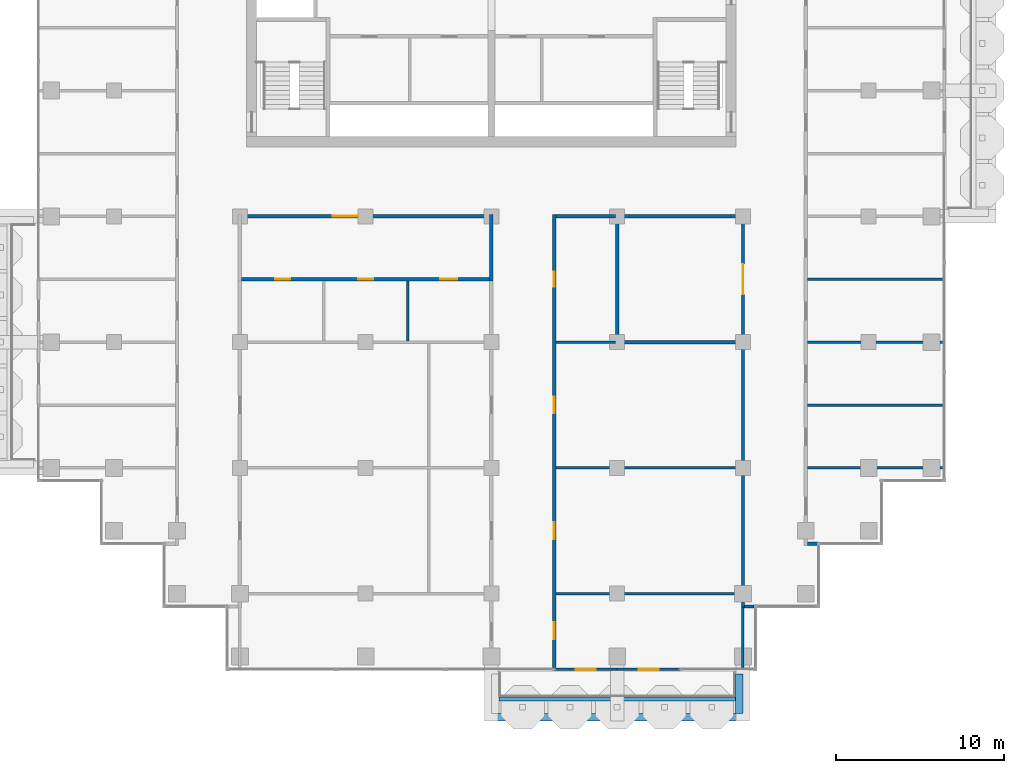
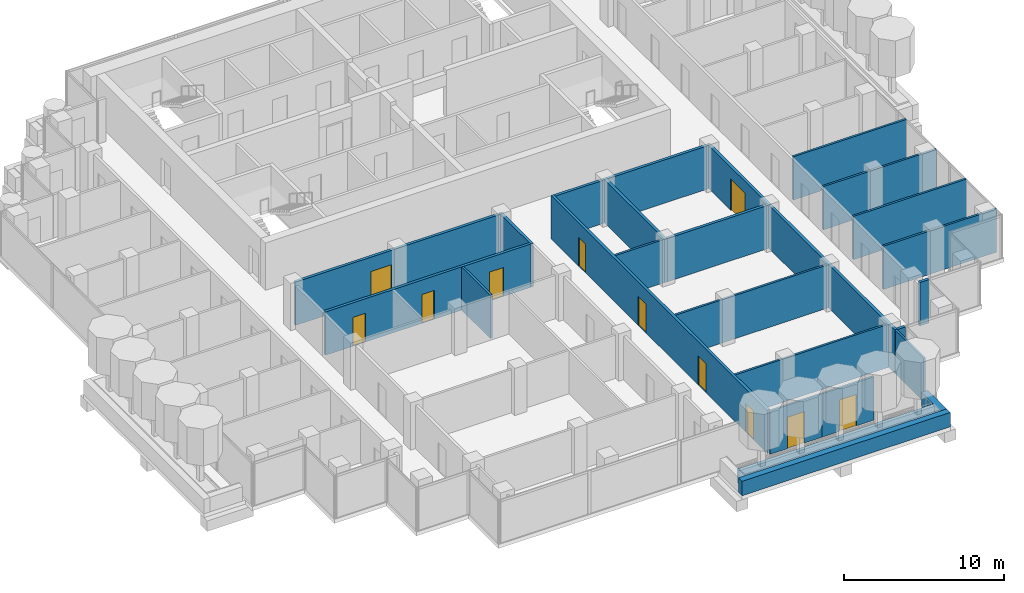
# One storey, part 12 of 19: 26 walls, 11 doors, 11 openings.
"""IFC4 building model written with IfcOpenShell, lengths in metres."""

from ifc_helpers import new_model, si_unit, direction, frame, frame_2d, origin, place, context, subcontext, project, spatial, rectangle, extrude, material, layer, layer_set, type_object, element, fill, save


model = new_model("IFC4")

# Units and contexts
model_context = context("Model", 3, precision=1e-05, world=origin(), true_north=direction((0.0, 1.0)))
body_context = subcontext(model_context, "Body", "Model", "MODEL_VIEW")
ifc_project = project(units=[si_unit("LENGTHUNIT", "METRE"), si_unit("AREAUNIT", "SQUARE_METRE"), si_unit("VOLUMEUNIT", "CUBIC_METRE"), si_unit("PLANEANGLEUNIT", "RADIAN"), si_unit("MASSUNIT", "GRAM", prefix="KILO")], contexts=[model_context])

# Site, building, storey
site_placement = place(None, origin())
site = spatial("IfcSite", under=ifc_project, at=site_placement, CompositionType="ELEMENT")
building_placement = place(site_placement, origin())
building = spatial("IfcBuilding", under=site, at=building_placement, Name="Pilkhan Gate Tower", CompositionType="ELEMENT")
storey_placement = place(building_placement, frame((0.0, 0.0, 224.699951171875)))
storey = spatial("IfcBuildingStorey", under=building, at=storey_placement, Name="L58", CompositionType="ELEMENT", Elevation=224.699951171875)

# Walls
ifc_material_1 = material(Name="Concrete C40/50", Category="concrete")
ifc_layer_1 = layer(ifc_material_1, 0.25)
ifc_layer_set_1 = layer_set([ifc_layer_1], Name="Balcony planter BP250")
wall_type_1 = type_object("IfcWallType", Name="Balcony planter BP250", PredefinedType="USERDEFINED", material=ifc_layer_set_1)
wall_1_placement = place(storey_placement, frame((75.449951171875, 38.72509765625, 0.0), z_axis=(0.0, 0.0, 1.0), x_axis=(1.0, 0.0, 0.0)))
element("IfcWall", 1, at=wall_1_placement, inside=storey, type_object=wall_type_1, Name="Balcony planter L58 S", ObjectType="BALCONY PLANTER", PredefinedType="USERDEFINED", context=body_context, shape_type="SweptSolid", body=[
    extrude(rectangle(XDim=14.10009765625, YDim=0.25, at=frame_2d((7.050048828125, 0.0))), origin(), (0.0, 0.0, 1.0), 1.0),
])
ifc_material_2 = material(Name="Board-marked Concrete C40/50", Category="concrete")
ifc_layer_2 = layer(ifc_material_2, 0.449951171875)
ifc_layer_set_2 = layer_set([ifc_layer_2], Name="Balcony planter lip BL450")
wall_type_2 = type_object("IfcWallType", Name="Balcony planter lip BL450", PredefinedType="USERDEFINED", material=ifc_layer_set_2)
wall_2_placement = place(storey_placement, frame((75.0, 37.625, 0.0), z_axis=(0.0, 0.0, 1.0), x_axis=(1.0, 0.0, 0.0)))
element("IfcWall", 2, at=wall_2_placement, inside=storey, type_object=wall_type_2, Name="Balcony planter L58 S", ObjectType="BALCONY PLANTER", PredefinedType="USERDEFINED", context=body_context, shape_type="SweptSolid", body=[
    extrude(rectangle(XDim=15.0, YDim=0.449951171875, at=frame_2d((7.5, 0.0))), origin(), (0.0, 0.0, 1.0), 1.10009765625),
])
wall_3_placement = place(storey_placement, frame((89.77490234375, 40.199951171875, 0.0), z_axis=(0.0, 0.0, 1.0), x_axis=(0.0, -1.0, 0.0)))
element("IfcWall", 3, at=wall_3_placement, inside=storey, type_object=wall_type_2, Name="Balcony planter L58 S", ObjectType="BALCONY PLANTER", PredefinedType="USERDEFINED", context=body_context, shape_type="SweptSolid", body=[
    extrude(rectangle(XDim=2.349853515625, YDim=0.449951171875, at=frame_2d((1.1748046875, 0.0))), origin(), (0.0, 0.0, 1.0), 1.10009765625),
])
ifc_material_3 = material(Name="Dense blockwork", Category="masonry")
ifc_layer_3 = layer(ifc_material_3, 0.199951171875)
ifc_layer_set_3 = layer_set([ifc_layer_3], Name="Corridor wall FW200")
wall_type_3 = type_object("IfcWallType", Name="Corridor wall FW200", PredefinedType="PARTITIONING", material=ifc_layer_set_3)
wall_4_placement = place(storey_placement, frame((90.10009765625, 44.235107421875, 0.0), z_axis=(0.0, 0.0, 1.0), x_axis=(1.0, 0.0, 0.0)))
element("IfcWall", 4, at=wall_4_placement, inside=storey, type_object=wall_type_3, Name="Partition L58", PredefinedType="PARTITIONING", context=body_context, shape_type="SweptSolid", body=[
    extrude(rectangle(XDim=0.544921875, YDim=0.199951171875, at=frame_2d((0.2724609375, 0.0))), origin(), (0.0, 0.0, 1.0), 3.300048828125),
])
wall_5_placement = place(storey_placement, frame((93.85009765625, 47.969970703125, 0.0), z_axis=(0.0, 0.0, 1.0), x_axis=(1.0, 0.0, 0.0)))
element("IfcWall", 5, at=wall_5_placement, inside=storey, type_object=wall_type_3, Name="Partition L58", PredefinedType="PARTITIONING", context=body_context, shape_type="SweptSolid", body=[
    extrude(rectangle(XDim=0.664794921875, YDim=0.199951171875, at=frame_2d((0.33251953125, 0.0))), origin(), (0.0, 0.0, 1.0), 3.300048828125),
])
wall_6_placement = place(storey_placement, frame((78.85009765625, 67.5, 0.0), z_axis=(0.0, 0.0, 1.0), x_axis=(1.0, 0.0, 0.0)))
element("IfcWall", 6, at=wall_6_placement, inside=storey, type_object=wall_type_3, Name="Partition L58", PredefinedType="PARTITIONING", context=body_context, shape_type="SweptSolid", body=[
    extrude(rectangle(XDim=3.5498046875, YDim=0.199951171875, at=frame_2d((1.77490234375, 0.0))), origin(), (0.0, 0.0, 1.0), 3.300048828125),
])

# Wall, openings, doors
wall_7_placement = place(storey_placement, frame((78.75, 40.5849609375, 0.0), z_axis=(0.0, 0.0, 1.0), x_axis=(0.0, 1.0, 0.0)))
wall_7 = element("IfcWall", 7, at=wall_7_placement, inside=storey, type_object=wall_type_3, Name="Partition L58", PredefinedType="PARTITIONING", context=body_context, shape_type="SweptSolid", body=[
    extrude(rectangle(XDim=27.01513671875, YDim=0.199951171875, at=frame_2d((13.507568359375, 0.0))), origin(), (0.0, 0.0, 1.0), 3.300048828125),
])
opening_1_placement = place(wall_7_placement, frame((1.699951171875, 0.0, 0.0)))
opening_1 = element("IfcOpeningElement", 8, at=opening_1_placement, cuts=wall_7, Name="Opening L58-21", PredefinedType="OPENING", context=body_context, shape_type="SweptSolid", body=[
    extrude(rectangle(XDim=1.0, YDim=2.199951171875, at=frame_2d((0.5, 1.10009765625))), frame((0.0, 0.10986328125, 0.0), z_axis=(0.0, -1.0, 0.0), x_axis=(1.0, 0.0, 0.0)), (0.0, 0.0, 1.0), 0.219970703125),
])
opening_2_placement = place(wall_7_placement, frame((7.6650390625, 0.0, 0.0)))
opening_2 = element("IfcOpeningElement", 9, at=opening_2_placement, cuts=wall_7, Name="Opening L58-22", PredefinedType="OPENING", context=body_context, shape_type="SweptSolid", body=[
    extrude(rectangle(XDim=1.0, YDim=2.199951171875, at=frame_2d((0.5, 1.10009765625))), frame((0.0, 0.10986328125, 0.0), z_axis=(0.0, -1.0, 0.0), x_axis=(1.0, 0.0, 0.0)), (0.0, 0.0, 1.0), 0.219970703125),
])
opening_3_placement = place(wall_7_placement, frame((15.1650390625, 0.0, 0.0)))
opening_3 = element("IfcOpeningElement", 10, at=opening_3_placement, cuts=wall_7, Name="Opening L58-23", PredefinedType="OPENING", context=body_context, shape_type="SweptSolid", body=[
    extrude(rectangle(XDim=1.0, YDim=2.199951171875, at=frame_2d((0.5, 1.10009765625))), frame((0.0, 0.10986328125, 0.0), z_axis=(0.0, -1.0, 0.0), x_axis=(1.0, 0.0, 0.0)), (0.0, 0.0, 1.0), 0.219970703125),
])
opening_4_placement = place(wall_7_placement, frame((22.715087890625, 0.0, 0.0)))
opening_4 = element("IfcOpeningElement", 11, at=opening_4_placement, cuts=wall_7, Name="Opening L58-24", PredefinedType="OPENING", context=body_context, shape_type="SweptSolid", body=[
    extrude(rectangle(XDim=0.89990234375, YDim=2.199951171875, at=frame_2d((0.449951171875, 1.10009765625))), frame((0.0, 0.10986328125, 0.0), z_axis=(0.0, -1.0, 0.0), x_axis=(1.0, 0.0, 0.0)), (0.0, 0.0, 1.0), 0.219970703125),
])
ifc_material_4 = material(Name="Timber flush door, 30 minute fire resisting", Category="wood")
door_type_1 = type_object("IfcDoorType", Name="Room door D03 1000x2200", OperationType="SINGLE_SWING_LEFT", PredefinedType="DOOR", material=ifc_material_4)
door_1_placement = place(opening_1_placement, origin())
door_1 = element("IfcDoor", 12, at=door_1_placement, inside=storey, type_object=door_type_1, Name="Room door", OperationType="SINGLE_SWING_LEFT", OverallHeight=2.199951171875, OverallWidth=1.0, PredefinedType="DOOR", context=body_context, shape_type="SweptSolid", body=[
    extrude(rectangle(XDim=1.0, YDim=2.199951171875, at=frame_2d((0.5, 1.10009765625))), frame((0.0, 0.02490234375, 0.0), z_axis=(0.0, -1.0, 0.0), x_axis=(1.0, 0.0, 0.0)), (0.0, 0.0, 1.0), 0.050048828125),
])
fill(opening_1, door_1)
door_2_placement = place(opening_2_placement, origin())
door_2 = element("IfcDoor", 13, at=door_2_placement, inside=storey, type_object=door_type_1, Name="Room door", OperationType="SINGLE_SWING_LEFT", OverallHeight=2.199951171875, OverallWidth=1.0, PredefinedType="DOOR", context=body_context, shape_type="SweptSolid", body=[
    extrude(rectangle(XDim=1.0, YDim=2.199951171875, at=frame_2d((0.5, 1.10009765625))), frame((0.0, 0.02490234375, 0.0), z_axis=(0.0, -1.0, 0.0), x_axis=(1.0, 0.0, 0.0)), (0.0, 0.0, 1.0), 0.050048828125),
])
fill(opening_2, door_2)
door_3_placement = place(opening_3_placement, origin())
door_3 = element("IfcDoor", 14, at=door_3_placement, inside=storey, type_object=door_type_1, Name="Room door", OperationType="SINGLE_SWING_RIGHT", OverallHeight=2.199951171875, OverallWidth=1.0, PredefinedType="DOOR", context=body_context, shape_type="SweptSolid", body=[
    extrude(rectangle(XDim=1.0, YDim=2.199951171875, at=frame_2d((0.5, 1.10009765625))), frame((0.0, 0.02490234375, 0.0), z_axis=(0.0, -1.0, 0.0), x_axis=(1.0, 0.0, 0.0)), (0.0, 0.0, 1.0), 0.050048828125),
])
fill(opening_3, door_3)
ifc_material_5 = material(Name="Timber flush door, 60 minute fire resisting, self-closing", Category="wood")
door_type_2 = type_object("IfcDoorType", Name="Store door D05 900x2200", OperationType="SINGLE_SWING_LEFT", PredefinedType="DOOR", material=ifc_material_5)
door_4_placement = place(opening_4_placement, origin())
door_4 = element("IfcDoor", 15, at=door_4_placement, inside=storey, type_object=door_type_2, Name="Store door", OperationType="SINGLE_SWING_LEFT", OverallHeight=2.199951171875, OverallWidth=0.89990234375, PredefinedType="DOOR", context=body_context, shape_type="SweptSolid", body=[
    extrude(rectangle(XDim=0.89990234375, YDim=2.199951171875, at=frame_2d((0.449951171875, 1.10009765625))), frame((0.0, 0.02490234375, 0.0), z_axis=(0.0, -1.0, 0.0), x_axis=(1.0, 0.0, 0.0)), (0.0, 0.0, 1.0), 0.050048828125),
])
fill(opening_4, door_4)

# Wall
wall_8_placement = place(storey_placement, frame((90.0, 44.135009765625, 0.0), z_axis=(0.0, 0.0, 1.0), x_axis=(0.0, 1.0, 0.0)))
element("IfcWall", 16, at=wall_8_placement, inside=storey, type_object=wall_type_3, Name="Partition L58", PredefinedType="PARTITIONING", context=body_context, shape_type="SweptSolid", body=[
    extrude(rectangle(XDim=15.864990234375, YDim=0.199951171875, at=frame_2d((7.9326171875, 0.0))), origin(), (0.0, 0.0, 1.0), 3.300048828125),
])

# Wall, opening, door
ifc_material_6 = material(Name="Pale anodised aluminium, clear laminated glazing", Category="aluminium")
ifc_layer_4 = layer(ifc_material_6, 0.14990234375)
ifc_layer_set_4 = layer_set([ifc_layer_4], Name="Facade infill wall IW150")
wall_type_4 = type_object("IfcWallType", Name="Facade infill wall IW150", PredefinedType="SOLIDWALL", material=ifc_layer_set_4)
wall_9_placement = place(storey_placement, frame((78.75, 40.5, 0.0), z_axis=(0.0, 0.0, 1.0), x_axis=(1.0, 0.0, 0.0)))
wall_9 = element("IfcWall", 17, at=wall_9_placement, inside=storey, type_object=wall_type_4, Name="Infill wall L58 S", PredefinedType="SOLIDWALL", context=body_context, shape_type="SweptSolid", body=[
    extrude(rectangle(XDim=3.75, YDim=0.14990234375, at=frame_2d((1.875, 0.0))), origin(), (0.0, 0.0, 1.0), 3.300048828125),
])
opening_5_placement = place(wall_9_placement, frame((1.27490234375, 0.0, 0.0)))
opening_5 = element("IfcOpeningElement", 18, at=opening_5_placement, cuts=wall_9, Name="Opening D1", PredefinedType="OPENING", context=body_context, shape_type="SweptSolid", body=[
    extrude(rectangle(XDim=1.199951171875, YDim=2.39990234375, at=frame_2d((0.60009765625, 1.199951171875))), frame((0.0, 0.0849609375, 0.0), z_axis=(0.0, -1.0, 0.0), x_axis=(1.0, 0.0, 0.0)), (0.0, 0.0, 1.0), 0.169921875),
])
ifc_material_7 = material(Name="Pale anodised aluminium, clear glazing", Category="aluminium")
door_type_3 = type_object("IfcDoorType", Name="Balcony door D1 1200x2400", OperationType="SINGLE_SWING_LEFT", PredefinedType="DOOR", material=ifc_material_7)
door_5_placement = place(opening_5_placement, origin())
door_5 = element("IfcDoor", 19, at=door_5_placement, inside=storey, type_object=door_type_3, Name="Balcony door L58", OperationType="SINGLE_SWING_LEFT", OverallHeight=2.39990234375, OverallWidth=1.199951171875, PredefinedType="DOOR", context=body_context, shape_type="SweptSolid", body=[
    extrude(rectangle(XDim=1.199951171875, YDim=2.39990234375, at=frame_2d((0.60009765625, 1.199951171875))), frame((0.0, 0.02490234375, 0.0), z_axis=(0.0, -1.0, 0.0), x_axis=(1.0, 0.0, 0.0)), (0.0, 0.0, 1.0), 0.050048828125),
])
fill(opening_5, door_5)

wall_10_placement = place(storey_placement, frame((82.5, 40.5, 0.0), z_axis=(0.0, 0.0, 1.0), x_axis=(1.0, 0.0, 0.0)))
wall_10 = element("IfcWall", 20, at=wall_10_placement, inside=storey, type_object=wall_type_4, Name="Infill wall L58 S", PredefinedType="SOLIDWALL", context=body_context, shape_type="SweptSolid", body=[
    extrude(rectangle(XDim=3.75, YDim=0.14990234375, at=frame_2d((1.875, 0.0))), origin(), (0.0, 0.0, 1.0), 3.300048828125),
])
opening_6_placement = place(wall_10_placement, frame((1.27490234375, 0.0, 0.0)))
opening_6 = element("IfcOpeningElement", 21, at=opening_6_placement, cuts=wall_10, Name="Opening D1", PredefinedType="OPENING", context=body_context, shape_type="SweptSolid", body=[
    extrude(rectangle(XDim=1.199951171875, YDim=2.39990234375, at=frame_2d((0.60009765625, 1.199951171875))), frame((0.0, 0.0849609375, 0.0), z_axis=(0.0, -1.0, 0.0), x_axis=(1.0, 0.0, 0.0)), (0.0, 0.0, 1.0), 0.169921875),
])
door_6_placement = place(opening_6_placement, origin())
door_6 = element("IfcDoor", 22, at=door_6_placement, inside=storey, type_object=door_type_3, Name="Balcony door L58", OperationType="SINGLE_SWING_LEFT", OverallHeight=2.39990234375, OverallWidth=1.199951171875, PredefinedType="DOOR", context=body_context, shape_type="SweptSolid", body=[
    extrude(rectangle(XDim=1.199951171875, YDim=2.39990234375, at=frame_2d((0.60009765625, 1.199951171875))), frame((0.0, 0.02490234375, 0.0), z_axis=(0.0, -1.0, 0.0), x_axis=(1.0, 0.0, 0.0)), (0.0, 0.0, 1.0), 0.050048828125),
])
fill(opening_6, door_6)

# Wall
ifc_layer_5 = layer(ifc_material_3, 0.199951171875)
ifc_layer_set_5 = layer_set([ifc_layer_5], Name="Lobby wall LW200")
wall_type_5 = type_object("IfcWallType", Name="Lobby wall LW200", PredefinedType="PARTITIONING", material=ifc_layer_set_5)
wall_11_placement = place(storey_placement, frame((82.60009765625, 60.0, 0.0), z_axis=(0.0, 0.0, 1.0), x_axis=(1.0, 0.0, 0.0)))
element("IfcWall", 23, at=wall_11_placement, inside=storey, type_object=wall_type_5, Name="Partition L58", PredefinedType="PARTITIONING", context=body_context, shape_type="SweptSolid", body=[
    extrude(rectangle(XDim=7.2998046875, YDim=0.199951171875, at=frame_2d((3.64990234375, 0.0))), origin(), (0.0, 0.0, 1.0), 3.300048828125),
])

# Wall, openings, doors
wall_12_placement = place(storey_placement, frame((60.10009765625, 63.75, 0.0), z_axis=(0.0, 0.0, 1.0), x_axis=(1.0, 0.0, 0.0)))
wall_12 = element("IfcWall", 24, at=wall_12_placement, inside=storey, type_object=wall_type_5, Name="Partition L58", PredefinedType="PARTITIONING", context=body_context, shape_type="SweptSolid", body=[
    extrude(rectangle(XDim=14.7998046875, YDim=0.199951171875, at=frame_2d((7.39990234375, 0.0))), origin(), (0.0, 0.0, 1.0), 3.300048828125),
])
opening_7_placement = place(wall_12_placement, frame((2.0, 0.0, 0.0)))
opening_7 = element("IfcOpeningElement", 25, at=opening_7_placement, cuts=wall_12, Name="Opening L58-13", PredefinedType="OPENING", context=body_context, shape_type="SweptSolid", body=[
    extrude(rectangle(XDim=0.89990234375, YDim=2.199951171875, at=frame_2d((0.449951171875, 1.10009765625))), frame((0.0, 0.10986328125, 0.0), z_axis=(0.0, -1.0, 0.0), x_axis=(1.0, 0.0, 0.0)), (0.0, 0.0, 1.0), 0.219970703125),
])
opening_8_placement = place(wall_12_placement, frame((6.949951171875, 0.0, 0.0)))
opening_8 = element("IfcOpeningElement", 26, at=opening_8_placement, cuts=wall_12, Name="Opening L58-14", PredefinedType="OPENING", context=body_context, shape_type="SweptSolid", body=[
    extrude(rectangle(XDim=0.89990234375, YDim=2.199951171875, at=frame_2d((0.449951171875, 1.10009765625))), frame((0.0, 0.10986328125, 0.0), z_axis=(0.0, -1.0, 0.0), x_axis=(1.0, 0.0, 0.0)), (0.0, 0.0, 1.0), 0.219970703125),
])
opening_9_placement = place(wall_12_placement, frame((11.85009765625, 0.0, 0.0)))
opening_9 = element("IfcOpeningElement", 27, at=opening_9_placement, cuts=wall_12, Name="Opening L58-15", PredefinedType="OPENING", context=body_context, shape_type="SweptSolid", body=[
    extrude(rectangle(XDim=1.0, YDim=2.199951171875, at=frame_2d((0.5, 1.10009765625))), frame((0.0, 0.10986328125, 0.0), z_axis=(0.0, -1.0, 0.0), x_axis=(1.0, 0.0, 0.0)), (0.0, 0.0, 1.0), 0.219970703125),
])
ifc_material_8 = material(Name="Timber flush door, outward opening, 30 minute fire resisting", Category="wood")
door_type_4 = type_object("IfcDoorType", Name="Accessible toilet door D07 1000x2200", OperationType="SINGLE_SWING_LEFT", PredefinedType="DOOR", material=ifc_material_8)
door_7_placement = place(opening_9_placement, origin())
door_7 = element("IfcDoor", 28, at=door_7_placement, inside=storey, type_object=door_type_4, Name="Accessible toilet door", OperationType="SINGLE_SWING_LEFT", OverallHeight=2.199951171875, OverallWidth=1.0, PredefinedType="DOOR", context=body_context, shape_type="SweptSolid", body=[
    extrude(rectangle(XDim=1.0, YDim=2.199951171875, at=frame_2d((0.5, 1.10009765625))), frame((0.0, 0.02490234375, 0.0), z_axis=(0.0, -1.0, 0.0), x_axis=(1.0, 0.0, 0.0)), (0.0, 0.0, 1.0), 0.050048828125),
])
fill(opening_9, door_7)
door_type_5 = type_object("IfcDoorType", Name="Toilet door D06 900x2200", OperationType="SINGLE_SWING_LEFT", PredefinedType="DOOR", material=ifc_material_4)
door_8_placement = place(opening_7_placement, origin())
door_8 = element("IfcDoor", 29, at=door_8_placement, inside=storey, type_object=door_type_5, Name="Toilet door", OperationType="SINGLE_SWING_LEFT", OverallHeight=2.199951171875, OverallWidth=0.89990234375, PredefinedType="DOOR", context=body_context, shape_type="SweptSolid", body=[
    extrude(rectangle(XDim=0.89990234375, YDim=2.199951171875, at=frame_2d((0.449951171875, 1.10009765625))), frame((0.0, 0.02490234375, 0.0), z_axis=(0.0, -1.0, 0.0), x_axis=(1.0, 0.0, 0.0)), (0.0, 0.0, 1.0), 0.050048828125),
])
fill(opening_7, door_8)
door_9_placement = place(opening_8_placement, origin())
door_9 = element("IfcDoor", 30, at=door_9_placement, inside=storey, type_object=door_type_5, Name="Toilet door", OperationType="SINGLE_SWING_LEFT", OverallHeight=2.199951171875, OverallWidth=0.89990234375, PredefinedType="DOOR", context=body_context, shape_type="SweptSolid", body=[
    extrude(rectangle(XDim=0.89990234375, YDim=2.199951171875, at=frame_2d((0.449951171875, 1.10009765625))), frame((0.0, 0.02490234375, 0.0), z_axis=(0.0, -1.0, 0.0), x_axis=(1.0, 0.0, 0.0)), (0.0, 0.0, 1.0), 0.050048828125),
])
fill(opening_8, door_9)

# Wall, opening, door
wall_13_placement = place(storey_placement, frame((60.10009765625, 67.5, 0.0), z_axis=(0.0, 0.0, 1.0), x_axis=(1.0, 0.0, 0.0)))
wall_13 = element("IfcWall", 31, at=wall_13_placement, inside=storey, type_object=wall_type_5, Name="Partition L58", PredefinedType="PARTITIONING", context=body_context, shape_type="SweptSolid", body=[
    extrude(rectangle(XDim=14.7998046875, YDim=0.199951171875, at=frame_2d((7.39990234375, 0.0))), origin(), (0.0, 0.0, 1.0), 3.300048828125),
])
opening_10_placement = place(wall_13_placement, frame((5.449951171875, 0.0, 0.0)))
opening_10 = element("IfcOpeningElement", 32, at=opening_10_placement, cuts=wall_13, Name="Opening L58-12", PredefinedType="OPENING", context=body_context, shape_type="SweptSolid", body=[
    extrude(rectangle(XDim=1.5, YDim=2.199951171875, at=frame_2d((0.75, 1.10009765625))), frame((0.0, 0.10986328125, 0.0), z_axis=(0.0, -1.0, 0.0), x_axis=(1.0, 0.0, 0.0)), (0.0, 0.0, 1.0), 0.219970703125),
])
ifc_material_9 = material(Name="Steel framed glazed door, 60 minute fire resisting", Category="steel")
door_type_6 = type_object("IfcDoorType", Name="Lobby door D09 1500x2200", OperationType="DOUBLE_DOOR_SINGLE_SWING", PredefinedType="DOOR", material=ifc_material_9)
door_10_placement = place(opening_10_placement, origin())
door_10 = element("IfcDoor", 33, at=door_10_placement, inside=storey, type_object=door_type_6, Name="Lobby door", OperationType="DOUBLE_DOOR_SINGLE_SWING", OverallHeight=2.199951171875, OverallWidth=1.5, PredefinedType="DOOR", context=body_context, shape_type="SweptSolid", body=[
    extrude(rectangle(XDim=1.5, YDim=2.199951171875, at=frame_2d((0.75, 1.10009765625))), frame((0.0, 0.02490234375, 0.0), z_axis=(0.0, -1.0, 0.0), x_axis=(1.0, 0.0, 0.0)), (0.0, 0.0, 1.0), 0.050048828125),
])
fill(opening_10, door_10)

# Walls
wall_14_placement = place(storey_placement, frame((82.60009765625, 67.5, 0.0), z_axis=(0.0, 0.0, 1.0), x_axis=(1.0, 0.0, 0.0)))
element("IfcWall", 34, at=wall_14_placement, inside=storey, type_object=wall_type_5, Name="Partition L58", PredefinedType="PARTITIONING", context=body_context, shape_type="SweptSolid", body=[
    extrude(rectangle(XDim=7.2998046875, YDim=0.199951171875, at=frame_2d((3.64990234375, 0.0))), origin(), (0.0, 0.0, 1.0), 3.300048828125),
])
wall_15_placement = place(storey_placement, frame((75.0, 63.64990234375, 0.0), z_axis=(0.0, 0.0, 1.0), x_axis=(0.0, 1.0, 0.0)))
element("IfcWall", 35, at=wall_15_placement, inside=storey, type_object=wall_type_5, Name="Partition L58", PredefinedType="PARTITIONING", context=body_context, shape_type="SweptSolid", body=[
    extrude(rectangle(XDim=3.9501953125, YDim=0.199951171875, at=frame_2d((1.97509765625, 0.0))), origin(), (0.0, 0.0, 1.0), 3.300048828125),
])
wall_16_placement = place(storey_placement, frame((82.5, 59.89990234375, 0.0), z_axis=(0.0, 0.0, 1.0), x_axis=(0.0, 1.0, 0.0)))
element("IfcWall", 36, at=wall_16_placement, inside=storey, type_object=wall_type_5, Name="Partition L58", PredefinedType="PARTITIONING", context=body_context, shape_type="SweptSolid", body=[
    extrude(rectangle(XDim=7.7001953125, YDim=0.199951171875, at=frame_2d((3.85009765625, 0.0))), origin(), (0.0, 0.0, 1.0), 3.300048828125),
])

# Wall, opening, door
wall_17_placement = place(storey_placement, frame((90.0, 59.89990234375, 0.0), z_axis=(0.0, 0.0, 1.0), x_axis=(0.0, 1.0, 0.0)))
wall_17 = element("IfcWall", 37, at=wall_17_placement, inside=storey, type_object=wall_type_5, Name="Partition L58", PredefinedType="PARTITIONING", context=body_context, shape_type="SweptSolid", body=[
    extrude(rectangle(XDim=7.7001953125, YDim=0.199951171875, at=frame_2d((3.85009765625, 0.0))), origin(), (0.0, 0.0, 1.0), 3.300048828125),
])
opening_11_placement = place(wall_17_placement, frame((2.949951171875, 0.0, 0.0)))
opening_11 = element("IfcOpeningElement", 38, at=opening_11_placement, cuts=wall_17, Name="Opening L58-25", PredefinedType="OPENING", context=body_context, shape_type="SweptSolid", body=[
    extrude(rectangle(XDim=1.800048828125, YDim=2.39990234375, at=frame_2d((0.89990234375, 1.199951171875))), frame((0.0, 0.10986328125, 0.0), z_axis=(0.0, -1.0, 0.0), x_axis=(1.0, 0.0, 0.0)), (0.0, 0.0, 1.0), 0.219970703125),
])
ifc_material_10 = material(Name="Steel door, 120 minute fire resisting", Category="steel")
door_type_7 = type_object("IfcDoorType", Name="Plant room door D08 1800x2400", OperationType="DOUBLE_DOOR_SINGLE_SWING", PredefinedType="DOOR", material=ifc_material_10)
door_11_placement = place(opening_11_placement, origin())
door_11 = element("IfcDoor", 39, at=door_11_placement, inside=storey, type_object=door_type_7, Name="Plant room door", OperationType="DOUBLE_DOOR_SINGLE_SWING", OverallHeight=2.39990234375, OverallWidth=1.800048828125, PredefinedType="DOOR", context=body_context, shape_type="SweptSolid", body=[
    extrude(rectangle(XDim=1.800048828125, YDim=2.39990234375, at=frame_2d((0.89990234375, 1.199951171875))), frame((0.0, 0.02490234375, 0.0), z_axis=(0.0, -1.0, 0.0), x_axis=(1.0, 0.0, 0.0)), (0.0, 0.0, 1.0), 0.050048828125),
])
fill(opening_11, door_11)

# Walls
ifc_material_11 = material(Name="Blockwork partition, plastered both sides", Category="masonry")
ifc_layer_6 = layer(ifc_material_11, 0.14990234375)
ifc_layer_set_6 = layer_set([ifc_layer_6], Name="Partition PW150")
wall_type_6 = type_object("IfcWallType", Name="Partition PW150", PredefinedType="PARTITIONING", material=ifc_layer_set_6)
for number, where, z_axis, x_axis, name in (
    (40, (78.85009765625, 45.0, 0.0), (0.0, 0.0, 1.0), (1.0, 0.0, 0.0), "Partition L58"),
    (41, (78.85009765625, 52.5, 0.0), (0.0, 0.0, 1.0), (1.0, 0.0, 0.0), "Partition L58"),
):
    element("IfcWall", number, at=place(storey_placement, frame(where, z_axis=z_axis, x_axis=x_axis)), inside=storey, type_object=wall_type_6, Name=name, PredefinedType="PARTITIONING", context=body_context, shape_type="SweptSolid", body=[
        extrude(rectangle(XDim=11.0498046875, YDim=0.14990234375, at=frame_2d((5.52490234375, 0.0))), origin(), (0.0, 0.0, 1.0), 3.300048828125),
    ])
for number, where, z_axis, x_axis, name in (
    (42, (93.85009765625, 52.5, 0.0), (0.0, 0.0, 1.0), (1.0, 0.0, 0.0), "Partition L58"),
    (43, (93.85009765625, 56.25, 0.0), (0.0, 0.0, 1.0), (1.0, 0.0, 0.0), "Partition L58"),
):
    element("IfcWall", number, at=place(storey_placement, frame(where, z_axis=z_axis, x_axis=x_axis)), inside=storey, type_object=wall_type_6, Name=name, PredefinedType="PARTITIONING", context=body_context, shape_type="SweptSolid", body=[
        extrude(rectangle(XDim=8.164794921875, YDim=0.14990234375, at=frame_2d((4.08251953125, 0.0))), origin(), (0.0, 0.0, 1.0), 3.300048828125),
    ])
wall_18_placement = place(storey_placement, frame((78.85009765625, 60.0, 0.0), z_axis=(0.0, 0.0, 1.0), x_axis=(1.0, 0.0, 0.0)))
element("IfcWall", 44, at=wall_18_placement, inside=storey, type_object=wall_type_6, Name="Partition L58", PredefinedType="PARTITIONING", context=body_context, shape_type="SweptSolid", body=[
    extrude(rectangle(XDim=3.5498046875, YDim=0.14990234375, at=frame_2d((1.77490234375, 0.0))), origin(), (0.0, 0.0, 1.0), 3.300048828125),
])
for number, where, z_axis, x_axis, name in (
    (45, (93.85009765625, 60.0, 0.0), (0.0, 0.0, 1.0), (1.0, 0.0, 0.0), "Partition L58"),
    (46, (93.85009765625, 63.75, 0.0), (0.0, 0.0, 1.0), (1.0, 0.0, 0.0), "Partition L58"),
):
    element("IfcWall", number, at=place(storey_placement, frame(where, z_axis=z_axis, x_axis=x_axis)), inside=storey, type_object=wall_type_6, Name=name, PredefinedType="PARTITIONING", context=body_context, shape_type="SweptSolid", body=[
        extrude(rectangle(XDim=8.164794921875, YDim=0.14990234375, at=frame_2d((4.08251953125, 0.0))), origin(), (0.0, 0.0, 1.0), 3.300048828125),
    ])
wall_19_placement = place(storey_placement, frame((70.0, 60.074951171875, 0.0), z_axis=(0.0, 0.0, 1.0), x_axis=(0.0, 1.0, 0.0)))
element("IfcWall", 47, at=wall_19_placement, inside=storey, type_object=wall_type_6, Name="Partition L58", PredefinedType="PARTITIONING", context=body_context, shape_type="SweptSolid", body=[
    extrude(rectangle(XDim=3.574951171875, YDim=0.14990234375, at=frame_2d((1.78759765625, 0.0))), origin(), (0.0, 0.0, 1.0), 3.300048828125),
])
wall_20_placement = place(storey_placement, frame((90.0, 40.60498046875, 0.0), z_axis=(0.0, 0.0, 1.0), x_axis=(0.0, 1.0, 0.0)))
element("IfcWall", 48, at=wall_20_placement, inside=storey, type_object=wall_type_6, Name="Partition L58", PredefinedType="PARTITIONING", context=body_context, shape_type="SweptSolid", body=[
    extrude(rectangle(XDim=3.60009765625, YDim=0.14990234375, at=frame_2d((1.800048828125, 0.0))), origin(), (0.0, 0.0, 1.0), 3.300048828125),
])

save(model, "model.ifc")
